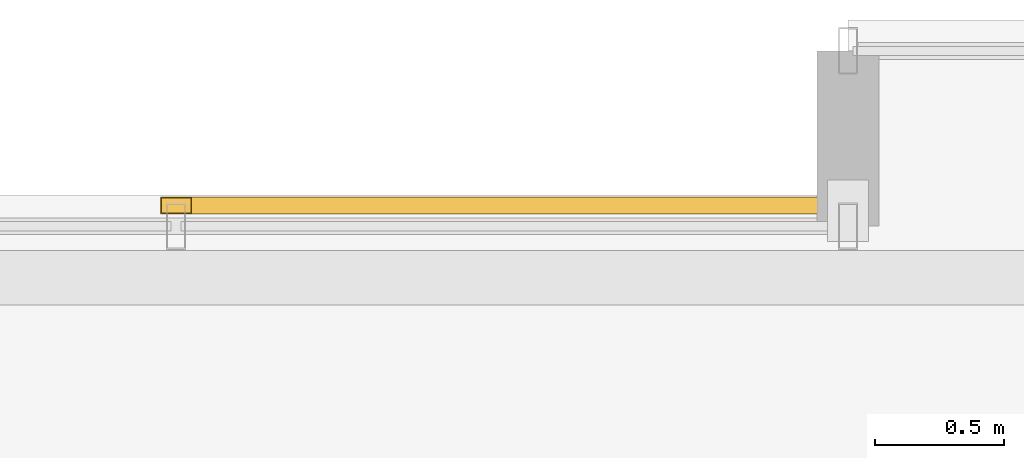
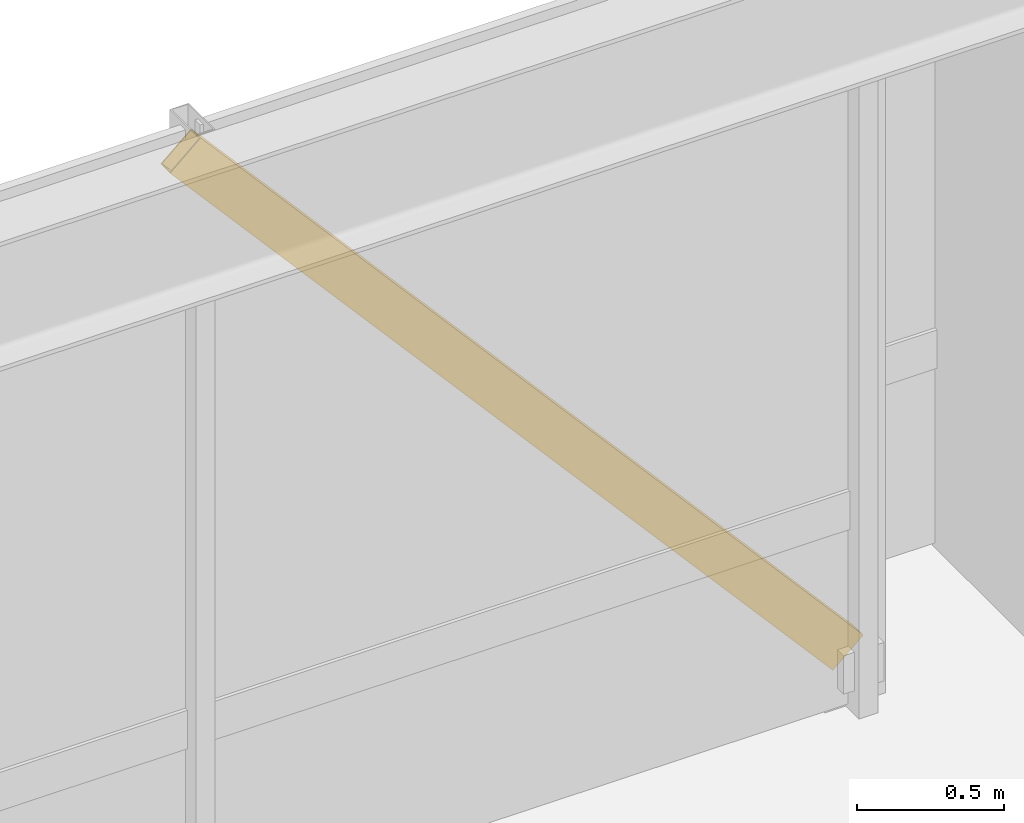
# One storey, part 32 of 32: 1 shading device.
"""IFC4 building model written with IfcOpenShell, lengths in metres."""

from ifc_helpers import new_model, si_unit, direction, frame, origin, origin_2d, place, context, subcontext, project, spatial, hollow_rectangle, extrude, material, material_profile, profile_set, type_object, element, save


model = new_model("IFC4")

# Units and contexts
model_context = context("Model", 3, precision=1e-05, world=origin(), true_north=direction((0.0, 1.0)))
body_context = subcontext(model_context, "Body", "Model", "MODEL_VIEW")
ifc_project = project(units=[si_unit("LENGTHUNIT", "METRE"), si_unit("AREAUNIT", "SQUARE_METRE"), si_unit("VOLUMEUNIT", "CUBIC_METRE"), si_unit("PLANEANGLEUNIT", "RADIAN"), si_unit("MASSUNIT", "GRAM", prefix="KILO")], contexts=[model_context])

# Site, building, storey
site_placement = place(None, origin())
site = spatial("IfcSite", under=ifc_project, at=site_placement, CompositionType="ELEMENT")
building_placement = place(site_placement, origin())
building = spatial("IfcBuilding", under=site, at=building_placement, Name="Drelvath Grand Hotel", CompositionType="ELEMENT")
storey_placement = place(building_placement, frame((0.0, 0.0, 226.699951171875)))
storey = spatial("IfcBuildingStorey", under=building, at=storey_placement, Name="L59", CompositionType="ELEMENT", Elevation=226.699951171875)

# Shading device
ifc_material = material(Name="Platinum-Mist Anodised Aluminium", Category="aluminium")
ifc_material_profile = material_profile(ifc_material, hollow_rectangle(XDim=0.06494140625, YDim=0.159912109375, WallThickness=0.00390625, at=origin_2d()), Name="HSS160X65X4")
ifc_profile_set = profile_set([ifc_material_profile], Name="Platinum-Mist Anodised Aluminium")
shading_device_type = type_object("IfcShadingDeviceType", Name="Diagonal Solar Fin Platinum Anodised HSS160X65X4", PredefinedType="USERDEFINED", material=ifc_profile_set)
shading_device_placement = place(storey_placement, frame((5.39990234375, 48.47998046875, 0.179931640625), z_axis=(-0.658430398543, 0.0, 0.752641621407), x_axis=(0.0, -1.0, 0.0)))
element("IfcShadingDevice", 1, at=shading_device_placement, inside=storey, type_object=shading_device_type, Name="L59 Diagonal Anodised Fin CW05-L59-NM2", ObjectType="FIN", PredefinedType="USERDEFINED", context=body_context, shape_type="SweptSolid", body=[
    extrude(hollow_rectangle(XDim=0.06494140625, YDim=0.159912109375, WallThickness=0.00390625, at=origin_2d()), origin(), (0.0, 0.0, 1.0), 3.959716796875),
])

save(model, "model.ifc")
